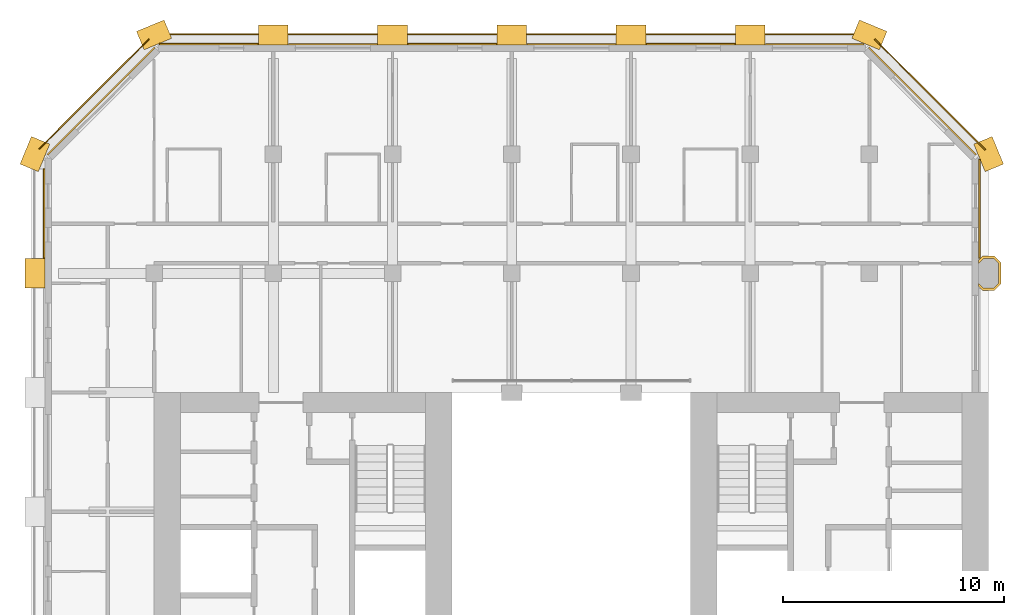
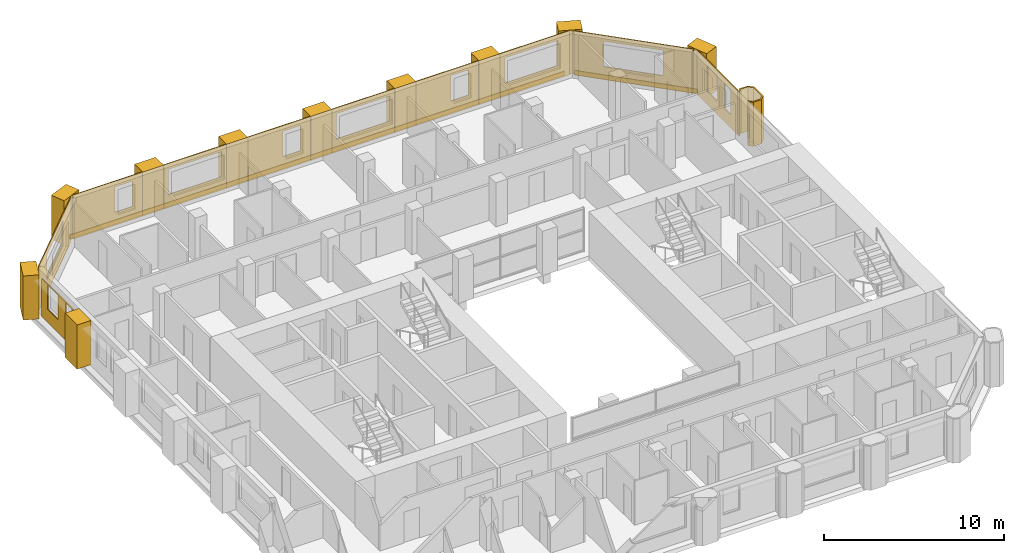
# One storey, part 14 of 14: 24 coverings.
"""IFC4 building model written with IfcOpenShell, lengths in metres."""

from ifc_helpers import new_model, si_unit, direction, frame, frame_2d, origin, place, context, subcontext, project, spatial, polyline, rectangle, outline, extrude, material, layer, layer_set, type_object, element, save


model = new_model("IFC4")

# Units and contexts
model_context = context("Model", 3, precision=1e-05, world=origin(), true_north=direction((0.0, 1.0)))
body_context = subcontext(model_context, "Body", "Model", "MODEL_VIEW")
ifc_project = project(units=[si_unit("LENGTHUNIT", "METRE"), si_unit("AREAUNIT", "SQUARE_METRE"), si_unit("VOLUMEUNIT", "CUBIC_METRE"), si_unit("PLANEANGLEUNIT", "RADIAN"), si_unit("MASSUNIT", "GRAM", prefix="KILO")], contexts=[model_context])

# Site, building, storey
site_placement = place(None, origin())
site = spatial("IfcSite", under=ifc_project, at=site_placement, CompositionType="ELEMENT")
building_placement = place(site_placement, origin())
building = spatial("IfcBuilding", under=site, at=building_placement, Name="Tabaq Tower and Sports Hall", CompositionType="ELEMENT")
storey_placement = place(building_placement, frame((0.0, 0.0, 213.699951171875)))
storey = spatial("IfcBuildingStorey", under=building, at=storey_placement, Name="L53", CompositionType="ELEMENT", Elevation=213.699951171875)

# Coverings
ifc_material_1 = material(Name="Precast concrete C60/75", Category="concrete")
ifc_layer_1 = layer(ifc_material_1, 0.10009765625)
ifc_layer_set_1 = layer_set([ifc_layer_1], Name="Column cladding 100")
covering_type_1 = type_object("IfcCoveringType", Name="Column cladding 100", PredefinedType="CLADDING", material=ifc_layer_set_1)
covering_1_placement = place(storey_placement, origin())
element("IfcCovering", 1, at=covering_1_placement, inside=storey, type_object=covering_type_1, Name="Column cladding L53 PC-9H-H3", PredefinedType="CLADDING", context=body_context, shape_type="SweptSolid", body=[
    extrude(outline(polyline([(42.93359375, 37.025390625), (42.750244140625, 37.208740234375), (42.750244140625, 37.349365234375), (42.974853515625, 37.124755859375), (43.425048828125, 37.124755859375), (43.650390625, 37.349853515625), (43.650390625, 38.250244140625), (43.425048828125, 38.475341796875), (42.974853515625, 38.475341796875), (42.750244140625, 38.250732421875), (42.750244140625, 38.391357421875), (42.93359375, 38.57470703125), (43.46630859375, 38.57470703125), (43.749755859375, 38.291259765625), (43.749755859375, 37.30859375), (43.46630859375, 37.025390625), (42.93359375, 37.025390625)])), origin(), (0.0, 0.0, 1.0), 3.0),
])
ifc_material_2 = material(Name="Precast concrete C60/75", Category="concrete")
ifc_layer_2 = layer(ifc_material_2, 0.06005859375)
ifc_layer_set_2 = layer_set([ifc_layer_2], Name="Edge beam cladding 60")
covering_type_2 = type_object("IfcCoveringType", Name="Edge beam cladding 60", PredefinedType="CLADDING", material=ifc_layer_set_2)
covering_2_placement = place(storey_placement, frame((43.04443359375, 43.39794921875, -0.300048828125), z_axis=(0.0, 0.0, 1.0), x_axis=(-0.707106781187, 0.707106781187, 0.0)))
element("IfcCovering", 2, at=covering_2_placement, inside=storey, type_object=covering_type_2, Name="Edge beam cladding L53 1", PredefinedType="CLADDING", context=body_context, shape_type="SweptSolid", body=[
    extrude(rectangle(XDim=7.08837890625, YDim=0.06005859375, at=frame_2d((3.544189453125, 0.0))), origin(), (0.0, 0.0, 1.0), 0.300048828125),
])
covering_3_placement = place(storey_placement, frame((37.50146484375, 48.6298828125, -0.300048828125), z_axis=(0.0, 0.0, 1.0), x_axis=(-1.0, 0.0, 0.0)))
element("IfcCovering", 3, at=covering_3_placement, inside=storey, type_object=covering_type_2, Name="Edge beam cladding L53 2", PredefinedType="CLADDING", context=body_context, shape_type="SweptSolid", body=[
    extrude(rectangle(XDim=31.802978515625, YDim=0.06005859375, at=frame_2d((15.9013671875, 0.0))), origin(), (0.0, 0.0, 1.0), 0.300048828125),
])
covering_4_placement = place(storey_placement, frame((5.167724609375, 48.41015625, -0.300048828125), z_axis=(0.0, 0.0, 1.0), x_axis=(-0.707106781187, -0.707106781187, 0.0)))
element("IfcCovering", 4, at=covering_4_placement, inside=storey, type_object=covering_type_2, Name="Edge beam cladding L53 3", PredefinedType="CLADDING", context=body_context, shape_type="SweptSolid", body=[
    extrude(rectangle(XDim=7.03955078125, YDim=0.06005859375, at=frame_2d((3.519775390625, 0.0))), origin(), (0.0, 0.0, 1.0), 0.300048828125),
])
ifc_material_3 = material(Name="White precast concrete C60/75", Category="concrete")
covering_type_3 = type_object("IfcCoveringType", Name="Pier cladding hung 1350x900", PredefinedType="CLADDING", material=ifc_material_3)
for number, where, z_axis, x_axis, name in (
    (5, (0.0, 38.47509765625, 0.0), (0.0, 0.0, 1.0), (0.0, -1.0, 0.0), "Hung pier cladding 0/7"),
    (6, (0.25830078125, 43.82373046875, 0.0), (0.0, 0.0, 1.0), (-0.382649923473, -0.923893411637, 0.0), "Hung pier cladding 0/8"),
    (7, (6.023681640625, 48.8583984375, 0.0), (0.0, 0.0, 1.0), (-0.923893411637, -0.382649923473, 0.0), "Hung pier cladding 1/9"),
    (8, (11.47509765625, 48.60009765625, 0.0), (0.0, 0.0, 1.0), (-1.0, 0.0, 0.0), "Hung pier cladding 2/9"),
    (9, (16.875, 48.60009765625, 0.0), (0.0, 0.0, 1.0), (-1.0, 0.0, 0.0), "Hung pier cladding 3/9"),
):
    element("IfcCovering", number, at=place(storey_placement, frame(where, z_axis=z_axis, x_axis=x_axis)), inside=storey, type_object=covering_type_3, Name=name, PredefinedType="CLADDING", context=body_context, shape_type="SweptSolid", body=[
        extrude(rectangle(XDim=1.35009765625, YDim=0.89990234375, at=frame_2d((0.675048828125, 0.0))), origin(), (0.0, 0.0, 1.0), 3.0),
    ])
covering_5_placement = place(storey_placement, frame((22.27490234375, 48.60009765625, 0.0), z_axis=(0.0, 0.0, 1.0), x_axis=(-1.0, 0.0, 0.0)))
element("IfcCovering", 10, at=covering_5_placement, inside=storey, type_object=covering_type_3, Name="Hung pier cladding 4/9", PredefinedType="CLADDING", context=body_context, shape_type="SweptSolid", body=[
    extrude(rectangle(XDim=1.349853515625, YDim=0.89990234375, at=frame_2d((0.6748046875, 0.0))), origin(), (0.0, 0.0, 1.0), 3.0),
])
covering_6_placement = place(storey_placement, frame((27.675048828125, 48.60009765625, 0.0), z_axis=(0.0, 0.0, 1.0), x_axis=(-1.0, 0.0, 0.0)))
element("IfcCovering", 11, at=covering_6_placement, inside=storey, type_object=covering_type_3, Name="Hung pier cladding 5/9", PredefinedType="CLADDING", context=body_context, shape_type="SweptSolid", body=[
    extrude(rectangle(XDim=1.35009765625, YDim=0.89990234375, at=frame_2d((0.675048828125, 0.0))), origin(), (0.0, 0.0, 1.0), 3.0),
])
covering_7_placement = place(storey_placement, frame((33.074951171875, 48.60009765625, 0.0), z_axis=(0.0, 0.0, 1.0), x_axis=(-1.0, 0.0, 0.0)))
element("IfcCovering", 12, at=covering_7_placement, inside=storey, type_object=covering_type_3, Name="Hung pier cladding 6/9", PredefinedType="CLADDING", context=body_context, shape_type="SweptSolid", body=[
    extrude(rectangle(XDim=1.349853515625, YDim=0.89990234375, at=frame_2d((0.6748046875, 0.0))), origin(), (0.0, 0.0, 1.0), 3.0),
])
for number, where, z_axis, x_axis, name in (
    (13, (38.423583984375, 48.341796875, 0.0), (0.0, 0.0, 1.0), (-0.923893411637, 0.382649923473, 0.0), "Hung pier cladding 7/9"),
    (14, (43.458251953125, 42.576416015625, 0.0), (0.0, 0.0, 1.0), (-0.382649923473, 0.923893411637, 0.0), "Hung pier cladding 8/8"),
):
    element("IfcCovering", number, at=place(storey_placement, frame(where, z_axis=z_axis, x_axis=x_axis)), inside=storey, type_object=covering_type_3, Name=name, PredefinedType="CLADDING", context=body_context, shape_type="SweptSolid", body=[
        extrude(rectangle(XDim=1.35009765625, YDim=0.89990234375, at=frame_2d((0.675048828125, 0.0))), origin(), (0.0, 0.0, 1.0), 3.0),
    ])
ifc_material_4 = material(Name="Precast concrete C60/75", Category="concrete")
ifc_layer_3 = layer(ifc_material_4, 0.06005859375)
ifc_layer_set_3 = layer_set([ifc_layer_3], Name="White precast cladding panel 60 C60/75")
covering_type_4 = type_object("IfcCoveringType", Name="White precast cladding panel 60 C60/75", PredefinedType="CLADDING", material=ifc_layer_set_3)
covering_8_placement = place(storey_placement, frame((42.780029296875, 38.485107421875, 0.0), z_axis=(0.0, 0.0, 1.0), x_axis=(0.0, 1.0, 0.0)))
element("IfcCovering", 15, at=covering_8_placement, inside=storey, type_object=covering_type_4, Name="White precast cladding panel L53 wall02-1 2", PredefinedType="CLADDING", context=body_context, shape_type="SweptSolid", body=[
    extrude(outline(polyline([(0.0, 0.0), (4.4716796875, 0.0), (4.4716796875, 3.0), (0.0, 3.0), (0.0, 0.0)]), holes=[polyline([(0.72998046875, 2.610107421875), (1.39990234375, 2.610107421875), (1.39990234375, 0.89013671875), (0.72998046875, 0.89013671875), (0.72998046875, 2.610107421875)]), polyline([(2.2548828125, 2.610107421875), (3.375, 2.610107421875), (3.375, 0.89013671875), (2.2548828125, 0.89013671875), (2.2548828125, 2.610107421875)])]), frame((0.0, 0.030029296875, 0.0), z_axis=(0.0, -1.0, 0.0), x_axis=(1.0, 0.0, 0.0)), (0.0, 0.0, 1.0), 0.06005859375),
])
covering_9_placement = place(storey_placement, frame((42.628173828125, 43.177734375, 0.0), z_axis=(0.0, 0.0, 1.0), x_axis=(-0.707088985397, 0.707124576528, 0.0)))
element("IfcCovering", 16, at=covering_9_placement, inside=storey, type_object=covering_type_4, Name="White precast cladding panel L53 wall03", PredefinedType="CLADDING", context=body_context, shape_type="SweptSolid", body=[
    extrude(outline(polyline([(0.0, 0.0), (6.859619140625, 0.0), (6.859619140625, 3.0), (0.0, 3.0), (0.0, 0.0)]), holes=[polyline([(1.7197265625, 0.89013671875), (1.7197265625, 2.610107421875), (5.139892578125, 2.610107421875), (5.139892578125, 0.89013671875), (1.7197265625, 0.89013671875)])]), frame((0.0, 0.030029296875, 0.0), z_axis=(0.0, -1.0, 0.0), x_axis=(1.0, 0.0, 0.0)), (0.0, 0.0, 1.0), 0.06005859375),
])
covering_10_placement = place(storey_placement, frame((37.556884765625, 48.179931640625, 0.0), z_axis=(0.0, 0.0, 1.0), x_axis=(-1.0, 0.0, 0.0)))
element("IfcCovering", 17, at=covering_10_placement, inside=storey, type_object=covering_type_4, Name="White precast cladding panel L53 wall04", PredefinedType="CLADDING", context=body_context, shape_type="SweptSolid", body=[
    extrude(outline(polyline([(0.0, 0.0), (4.471923828125, 0.0), (4.471923828125, 3.0), (0.0, 3.0), (0.0, 0.0)]), holes=[polyline([(0.746826171875, 0.89013671875), (0.746826171875, 2.610107421875), (4.166748046875, 2.610107421875), (4.166748046875, 0.89013671875), (0.746826171875, 0.89013671875)])]), frame((0.0, 0.030029296875, 0.0), z_axis=(0.0, -1.0, 0.0), x_axis=(1.0, 0.0, 0.0)), (0.0, 0.0, 1.0), 0.06005859375),
])
covering_11_placement = place(storey_placement, frame((31.715087890625, 48.179931640625, 0.0), z_axis=(0.0, 0.0, 1.0), x_axis=(-1.0, 0.0, 0.0)))
element("IfcCovering", 18, at=covering_11_placement, inside=storey, type_object=covering_type_4, Name="White precast cladding panel L53 wall04 2", PredefinedType="CLADDING", context=body_context, shape_type="SweptSolid", body=[
    extrude(outline(polyline([(0.0, 0.0), (4.030029296875, 0.0), (4.030029296875, 3.0), (0.0, 3.0), (0.0, 0.0)]), holes=[polyline([(0.655029296875, 0.89013671875), (0.655029296875, 2.610107421875), (1.77490234375, 2.610107421875), (1.77490234375, 0.89013671875), (0.655029296875, 0.89013671875)])]), frame((0.0, 0.030029296875, 0.0), z_axis=(0.0, -1.0, 0.0), x_axis=(1.0, 0.0, 0.0)), (0.0, 0.0, 1.0), 0.06005859375),
])
covering_12_placement = place(storey_placement, frame((26.31494140625, 48.179931640625, 0.0), z_axis=(0.0, 0.0, 1.0), x_axis=(-1.0, 0.0, 0.0)))
element("IfcCovering", 19, at=covering_12_placement, inside=storey, type_object=covering_type_4, Name="White precast cladding panel L53 wall04 3", PredefinedType="CLADDING", context=body_context, shape_type="SweptSolid", body=[
    extrude(outline(polyline([(0.0, 0.0), (4.030029296875, 0.0), (4.030029296875, 3.0), (0.0, 3.0), (0.0, 0.0)]), holes=[polyline([(0.304931640625, 0.89013671875), (0.304931640625, 2.610107421875), (3.72509765625, 2.610107421875), (3.72509765625, 0.89013671875), (0.304931640625, 0.89013671875)])]), frame((0.0, 0.030029296875, 0.0), z_axis=(0.0, -1.0, 0.0), x_axis=(1.0, 0.0, 0.0)), (0.0, 0.0, 1.0), 0.06005859375),
])
covering_13_placement = place(storey_placement, frame((20.9150390625, 48.179931640625, 0.0), z_axis=(0.0, 0.0, 1.0), x_axis=(-1.0, 0.0, 0.0)))
element("IfcCovering", 20, at=covering_13_placement, inside=storey, type_object=covering_type_4, Name="White precast cladding panel L53 wall04 4", PredefinedType="CLADDING", context=body_context, shape_type="SweptSolid", body=[
    extrude(outline(polyline([(0.0, 0.0), (4.030029296875, 0.0), (4.030029296875, 3.0), (0.0, 3.0), (0.0, 0.0)]), holes=[polyline([(0.655029296875, 0.89013671875), (0.655029296875, 2.610107421875), (1.77490234375, 2.610107421875), (1.77490234375, 0.89013671875), (0.655029296875, 0.89013671875)])]), frame((0.0, 0.030029296875, 0.0), z_axis=(0.0, -1.0, 0.0), x_axis=(1.0, 0.0, 0.0)), (0.0, 0.0, 1.0), 0.06005859375),
])
covering_14_placement = place(storey_placement, frame((15.514892578125, 48.179931640625, 0.0), z_axis=(0.0, 0.0, 1.0), x_axis=(-1.0, 0.0, 0.0)))
element("IfcCovering", 21, at=covering_14_placement, inside=storey, type_object=covering_type_4, Name="White precast cladding panel L53 wall04 5", PredefinedType="CLADDING", context=body_context, shape_type="SweptSolid", body=[
    extrude(outline(polyline([(0.0, 0.0), (4.02978515625, 0.0), (4.02978515625, 3.0), (0.0, 3.0), (0.0, 0.0)]), holes=[polyline([(0.304931640625, 0.89013671875), (0.304931640625, 2.610107421875), (3.72509765625, 2.610107421875), (3.72509765625, 0.89013671875), (0.304931640625, 0.89013671875)])]), frame((0.0, 0.030029296875, 0.0), z_axis=(0.0, -1.0, 0.0), x_axis=(1.0, 0.0, 0.0)), (0.0, 0.0, 1.0), 0.06005859375),
])
covering_15_placement = place(storey_placement, frame((10.114990234375, 48.179931640625, 0.0), z_axis=(0.0, 0.0, 1.0), x_axis=(-1.0, 0.0, 0.0)))
element("IfcCovering", 22, at=covering_15_placement, inside=storey, type_object=covering_type_4, Name="White precast cladding panel L53 wall04 6", PredefinedType="CLADDING", context=body_context, shape_type="SweptSolid", body=[
    extrude(outline(polyline([(0.0, 0.0), (4.471923828125, 0.0), (4.471923828125, 3.0), (0.0, 3.0), (0.0, 0.0)]), holes=[polyline([(0.655029296875, 0.89013671875), (0.655029296875, 2.610107421875), (1.77490234375, 2.610107421875), (1.77490234375, 0.89013671875), (0.655029296875, 0.89013671875)])]), frame((0.0, 0.030029296875, 0.0), z_axis=(0.0, -1.0, 0.0), x_axis=(1.0, 0.0, 0.0)), (0.0, 0.0, 1.0), 0.06005859375),
])
covering_16_placement = place(storey_placement, frame((5.42236328125, 48.0283203125, 0.0), z_axis=(0.0, 0.0, 1.0), x_axis=(-0.707106781187, -0.707106781187, 0.0)))
element("IfcCovering", 23, at=covering_16_placement, inside=storey, type_object=covering_type_4, Name="White precast cladding panel L53 wall05", PredefinedType="CLADDING", context=body_context, shape_type="SweptSolid", body=[
    extrude(outline(polyline([(0.0, 0.0), (6.85986328125, 0.0), (6.85986328125, 3.0), (0.0, 3.0), (0.0, 0.0)]), holes=[polyline([(1.7197265625, 0.89013671875), (1.7197265625, 2.610107421875), (5.139892578125, 2.610107421875), (5.139892578125, 0.89013671875), (1.7197265625, 0.89013671875)])]), frame((0.0, 0.030029296875, 0.0), z_axis=(0.0, -1.0, 0.0), x_axis=(1.0, 0.0, 0.0)), (0.0, 0.0, 1.0), 0.06005859375),
])
covering_17_placement = place(storey_placement, frame((0.419921875, 42.534912109375, 0.0), z_axis=(0.0, 0.0, 1.0), x_axis=(0.0, -1.0, 0.0)))
element("IfcCovering", 24, at=covering_17_placement, inside=storey, type_object=covering_type_4, Name="White precast cladding panel L53 wall06", PredefinedType="CLADDING", context=body_context, shape_type="SweptSolid", body=[
    extrude(outline(polyline([(0.0, 0.0), (4.0498046875, 0.0), (4.0498046875, 2.590087890625), (0.0, 2.590087890625), (0.0, 0.0)]), holes=[polyline([(0.675048828125, 0.89013671875), (0.675048828125, 2.56005859375), (1.794921875, 2.56005859375), (1.794921875, 0.89013671875), (0.675048828125, 0.89013671875)]), polyline([(2.64990234375, 0.89013671875), (2.64990234375, 2.56005859375), (3.320068359375, 2.56005859375), (3.320068359375, 0.89013671875), (2.64990234375, 0.89013671875)])]), frame((0.0, 0.030029296875, 0.0), z_axis=(0.0, -1.0, 0.0), x_axis=(1.0, 0.0, 0.0)), (0.0, 0.0, 1.0), 0.06005859375),
])

save(model, "model.ifc")
